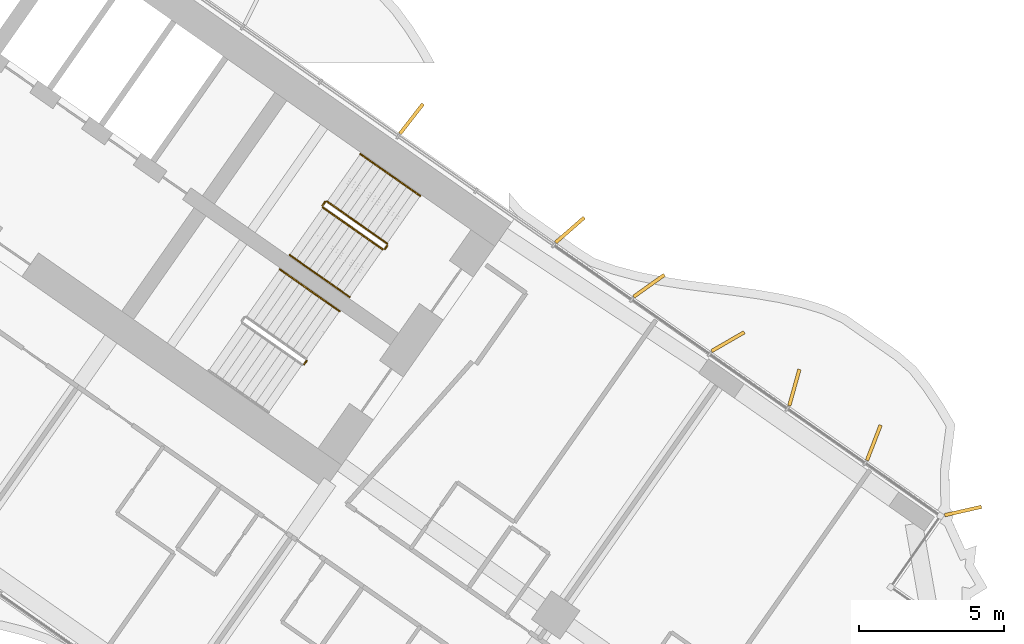
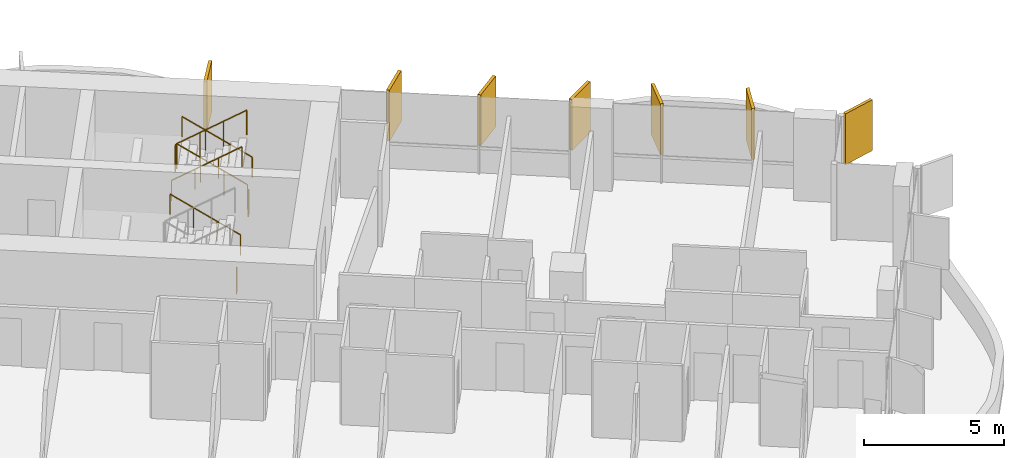
# One storey, part 25 of 25: 8 railings, 7 shading devices.
"""IFC4 building model written with IfcOpenShell, lengths in metres."""

from ifc_helpers import new_model, si_unit, direction, frame, origin, origin_2d, place, context, subcontext, project, spatial, rectangle, circle, extrude, material, layer, layer_set, type_object, element, save


model = new_model("IFC4")

# Units and contexts
model_context = context("Model", 3, precision=1e-05, world=origin(), true_north=direction((0.0, 1.0)))
body_context = subcontext(model_context, "Body", "Model", "MODEL_VIEW")
ifc_project = project(units=[si_unit("LENGTHUNIT", "METRE"), si_unit("AREAUNIT", "SQUARE_METRE"), si_unit("VOLUMEUNIT", "CUBIC_METRE"), si_unit("PLANEANGLEUNIT", "RADIAN"), si_unit("MASSUNIT", "GRAM", prefix="KILO")], contexts=[model_context])

# Site, building, storey
site_placement = place(None, origin())
site = spatial("IfcSite", under=ifc_project, at=site_placement, CompositionType="ELEMENT")
building_placement = place(site_placement, origin())
building = spatial("IfcBuilding", under=site, at=building_placement, Name="Tel Ilan Convention Tower", CompositionType="ELEMENT")
storey_placement = place(building_placement, frame((0.0, 0.0, 54.5)))
storey = spatial("IfcBuildingStorey", under=building, at=storey_placement, Name="L08", CompositionType="ELEMENT", Elevation=54.5)

# Shading devices
ifc_material_1 = material(Name="Aluminium, bronze anodised", Category="aluminium")
ifc_layer = layer(ifc_material_1, 0.1201171875)
ifc_layer_set = layer_set([ifc_layer], Name="FIN BRONZE 1300x120")
shading_device_type = type_object("IfcShadingDeviceType", Name="FIN BRONZE 1300x120", PredefinedType="USERDEFINED", material=ifc_layer_set)
for number, where, z_axis, x_axis, name in (
    (1, (29.980712890625, -7.38720703125, 1.10009765625), (0.0, 0.0, 1.0), (0.753435896329, 0.657521368568, 0.0), "FIN"),
    (2, (24.52197265625, -3.556884765625, 1.10009765625), (0.0, 0.0, 1.0), (0.612600545196, 0.790392669516, 0.0), "FIN"),
    (3, (43.520751953125, -17.065673828125, 1.10009765625), (0.0, 0.0, 1.0), (0.975235208752, 0.221170268371, 0.0), "FIN"),
    (4, (40.4462890625, -14.71533203125, 1.10009765625), (0.0, 0.0, 1.0), (0.360177724803, 0.932883704733, 0.0), "FIN"),
    (5, (37.709228515625, -12.814208984375, 1.10009765625), (0.0, 0.0, 1.0), (0.268172612768, 0.963370878614, 0.0), "FIN"),
    (6, (35.420654296875, -11.234130859375, 1.10009765625), (0.0, 0.0, 1.0), (0.866025403784, 0.5, 0.0), "FIN"),
    (7, (32.703369140625, -9.308837890625, 1.10009765625), (0.0, 0.0, 1.0), (0.813552070258, 0.581492071294, 0.0), "FIN"),
):
    element("IfcShadingDevice", number, at=place(storey_placement, frame(where, z_axis=z_axis, x_axis=x_axis)), inside=storey, type_object=shading_device_type, Name=name, ObjectType="FIN", PredefinedType="USERDEFINED", context=body_context, shape_type="SweptSolid", body=[
        extrude(rectangle(XDim=1.300048828125, YDim=0.1201171875, at=origin_2d()), origin(), (0.0, 0.0, 1.0), 2.219970703125),
    ])

# Railings
ifc_material_2 = material(Name="Stainless Steel Grade 316", Category="steel")
railing_type_1 = type_object("IfcRailingType", Name="Stainless Steel Stair Guard 1100 mm", PredefinedType="GUARDRAIL", material=ifc_material_2)
railing_1_placement = place(storey_placement, frame((23.6787109375, -7.8515625, 0.179931640625)))
element("IfcRailing", 8, at=railing_1_placement, inside=storey, type_object=railing_type_1, Name="L08 S3 stair guard 1", PredefinedType="GUARDRAIL", context=body_context, shape_type="SweptSolid", body=[
    extrude(circle(Radius=0.02392578125, at=origin_2d()), frame((0.0, 0.0, 1.076171875), z_axis=(-0.689013013563, 0.482512838948, 0.540779462804), x_axis=(-0.573624882958, -0.819118119475, 0.0)), (0.0, 0.0, 1.0), 2.995849609375),
    extrude(circle(Radius=0.02099609375, at=origin_2d()), origin(), (0.0, 0.0, 1.0), 1.052001953125),
    extrude(circle(Radius=0.02099609375, at=origin_2d()), frame((-0.68798828125, 0.48193359375, 0.5400390625)), (0.0, 0.0, 1.0), 1.052001953125),
    extrude(circle(Radius=0.02099609375, at=origin_2d()), frame((-1.376220703125, 0.963623046875, 1.080078125)), (0.0, 0.0, 1.0), 1.052001953125),
    extrude(circle(Radius=0.02099609375, at=origin_2d()), frame((-2.064208984375, 1.445556640625, 1.6201171875)), (0.0, 0.0, 1.0), 1.052001953125),
])
railing_2_placement = place(storey_placement, frame((21.544921875, -6.41845703125, 1.800048828125)))
element("IfcRailing", 9, at=railing_2_placement, inside=storey, type_object=railing_type_1, Name="L08 S3 stair guard 2", PredefinedType="GUARDRAIL", context=body_context, shape_type="SweptSolid", body=[
    extrude(circle(Radius=0.02392578125, at=origin_2d()), frame((0.0, 0.0, 1.076171875), z_axis=(-0.573353020881, -0.819308436089, 0.0), x_axis=(0.819308436089, -0.573353020881, 0.0)), (0.0, 0.0, 1.0), 0.14990234375),
    extrude(circle(Radius=0.02099609375, at=origin_2d()), origin(), (0.0, 0.0, 1.0), 1.052001953125),
    extrude(circle(Radius=0.02099609375, at=origin_2d()), frame((-0.0859375, -0.122802734375, 0.0)), (0.0, 0.0, 1.0), 1.052001953125),
])
railing_3_placement = place(storey_placement, frame((21.47119140625, -6.61083984375, 1.97998046875)))
element("IfcRailing", 10, at=railing_3_placement, inside=storey, type_object=railing_type_1, Name="L08 S3 stair guard 3", PredefinedType="GUARDRAIL", context=body_context, shape_type="SweptSolid", body=[
    extrude(circle(Radius=0.02392578125, at=origin_2d()), frame((0.0, 0.0, 1.076171875), z_axis=(0.689013013563, -0.482512838948, 0.540779462804), x_axis=(0.573624882958, 0.819118119475, 0.0)), (0.0, 0.0, 1.0), 2.995849609375),
    extrude(circle(Radius=0.02099609375, at=origin_2d()), origin(), (0.0, 0.0, 1.0), 1.052001953125),
    extrude(circle(Radius=0.02099609375, at=origin_2d()), frame((0.68798828125, -0.48193359375, 0.5400390625)), (0.0, 0.0, 1.0), 1.052001953125),
    extrude(circle(Radius=0.02099609375, at=origin_2d()), frame((1.376220703125, -0.963623046875, 1.080078125)), (0.0, 0.0, 1.0), 1.052001953125),
    extrude(circle(Radius=0.02099609375, at=origin_2d()), frame((2.064208984375, -1.445556640625, 1.6201171875)), (0.0, 0.0, 1.0), 1.052001953125),
])
railing_4_placement = place(storey_placement, frame((23.691162109375, -7.921142578125, 0.0)))
element("IfcRailing", 11, at=railing_4_placement, inside=storey, type_object=railing_type_1, Name="L08 S3 stair guard 4", PredefinedType="GUARDRAIL", context=body_context, shape_type="SweptSolid", body=[
    extrude(circle(Radius=0.02392578125, at=origin_2d()), frame((0.0, 0.0, 1.076171875), z_axis=(-0.574444878118, -0.818543268254, 0.0), x_axis=(0.818543268254, -0.574444878118, 0.0)), (0.0, 0.0, 1.0), 0.150146484375),
    extrude(circle(Radius=0.02099609375, at=origin_2d()), origin(), (0.0, 0.0, 1.0), 1.052001953125),
    extrude(circle(Radius=0.02099609375, at=origin_2d()), frame((-0.086181640625, -0.122802734375, 0.0)), (0.0, 0.0, 1.0), 1.052001953125),
])
railing_5_placement = place(storey_placement, frame((20.9091796875, -11.89404296875, 0.0)))
element("IfcRailing", 12, at=railing_5_placement, inside=storey, type_object=railing_type_1, Name="L08 S4 stair guard 4", PredefinedType="GUARDRAIL", context=body_context, shape_type="SweptSolid", body=[
    extrude(circle(Radius=0.02392578125, at=origin_2d()), frame((0.0, 0.0, 1.076171875), z_axis=(-0.573353020881, -0.819308436089, 0.0), x_axis=(0.819308436089, -0.573353020881, 0.0)), (0.0, 0.0, 1.0), 0.14990234375),
    extrude(circle(Radius=0.02099609375, at=origin_2d()), origin(), (0.0, 0.0, 1.0), 1.052001953125),
    extrude(circle(Radius=0.02099609375, at=origin_2d()), frame((-0.0859375, -0.122802734375, 0.0)), (0.0, 0.0, 1.0), 1.052001953125),
])
ifc_material_3 = material(Name="Stainless Steel Grade 316", Category="steel")
railing_type_2 = type_object("IfcRailingType", Name="Stainless Steel Stair Handrail 900 mm", PredefinedType="HANDRAIL", material=ifc_material_3)
railing_6_placement = place(storey_placement, frame((24.825927734375, -6.213134765625, 0.179931640625)))
element("IfcRailing", 13, at=railing_6_placement, inside=storey, type_object=railing_type_2, Name="L08 S3 stair handrail 1", PredefinedType="HANDRAIL", context=body_context, shape_type="SweptSolid", body=[
    extrude(circle(Radius=0.02392578125, at=origin_2d()), frame((0.0, 0.0, 0.8759765625), z_axis=(-0.689040105437, 0.482450316285, 0.54080072616), x_axis=(-0.573559875649, -0.819163639968, 0.0)), (0.0, 0.0, 1.0), 2.995849609375),
    extrude(circle(Radius=0.02099609375, at=origin_2d()), origin(), (0.0, 0.0, 1.0), 0.851806640625),
    extrude(circle(Radius=0.02099609375, at=origin_2d()), frame((-0.68798828125, 0.481689453125, 0.5400390625)), (0.0, 0.0, 1.0), 0.851806640625),
    extrude(circle(Radius=0.02099609375, at=origin_2d()), frame((-1.376220703125, 0.963623046875, 1.080078125)), (0.0, 0.0, 1.0), 0.851806640625),
    extrude(circle(Radius=0.02099609375, at=origin_2d()), frame((-2.064208984375, 1.4453125, 1.6201171875)), (0.0, 0.0, 1.0), 0.851806640625),
])
railing_7_placement = place(storey_placement, frame((20.323974609375, -8.249267578125, 1.97998046875)))
element("IfcRailing", 14, at=railing_7_placement, inside=storey, type_object=railing_type_2, Name="L08 S3 stair handrail 2", PredefinedType="HANDRAIL", context=body_context, shape_type="SweptSolid", body=[
    extrude(circle(Radius=0.02392578125, at=origin_2d()), frame((0.0, 0.0, 0.8759765625), z_axis=(0.689040105437, -0.482450316285, 0.54080072616), x_axis=(0.573559875649, 0.819163639968, 0.0)), (0.0, 0.0, 1.0), 2.995849609375),
    extrude(circle(Radius=0.02099609375, at=origin_2d()), origin(), (0.0, 0.0, 1.0), 0.851806640625),
    extrude(circle(Radius=0.02099609375, at=origin_2d()), frame((0.68798828125, -0.481689453125, 0.5400390625)), (0.0, 0.0, 1.0), 0.851806640625),
    extrude(circle(Radius=0.02099609375, at=origin_2d()), frame((1.376220703125, -0.963623046875, 1.080078125)), (0.0, 0.0, 1.0), 0.851806640625),
    extrude(circle(Radius=0.02099609375, at=origin_2d()), frame((2.064208984375, -1.4453125, 1.6201171875)), (0.0, 0.0, 1.0), 0.851806640625),
])
railing_8_placement = place(storey_placement, frame((22.044189453125, -10.18603515625, 0.179931640625)))
element("IfcRailing", 15, at=railing_8_placement, inside=storey, type_object=railing_type_2, Name="L08 S4 stair handrail 1", PredefinedType="HANDRAIL", context=body_context, shape_type="SweptSolid", body=[
    extrude(circle(Radius=0.02392578125, at=origin_2d()), frame((0.0, 0.0, 0.8759765625), z_axis=(-0.689082904933, 0.482423225781, 0.540770359169), x_axis=(-0.573514357932, -0.81919550856, 0.0)), (0.0, 0.0, 1.0), 2.995849609375),
    extrude(circle(Radius=0.02099609375, at=origin_2d()), origin(), (0.0, 0.0, 1.0), 0.851806640625),
    extrude(circle(Radius=0.02099609375, at=origin_2d()), frame((-0.688232421875, 0.481689453125, 0.5400390625)), (0.0, 0.0, 1.0), 0.851806640625),
    extrude(circle(Radius=0.02099609375, at=origin_2d()), frame((-1.376220703125, 0.963623046875, 1.080078125)), (0.0, 0.0, 1.0), 0.851806640625),
    extrude(circle(Radius=0.02099609375, at=origin_2d()), frame((-2.064453125, 1.4453125, 1.6201171875)), (0.0, 0.0, 1.0), 0.851806640625),
])

save(model, "model.ifc")
